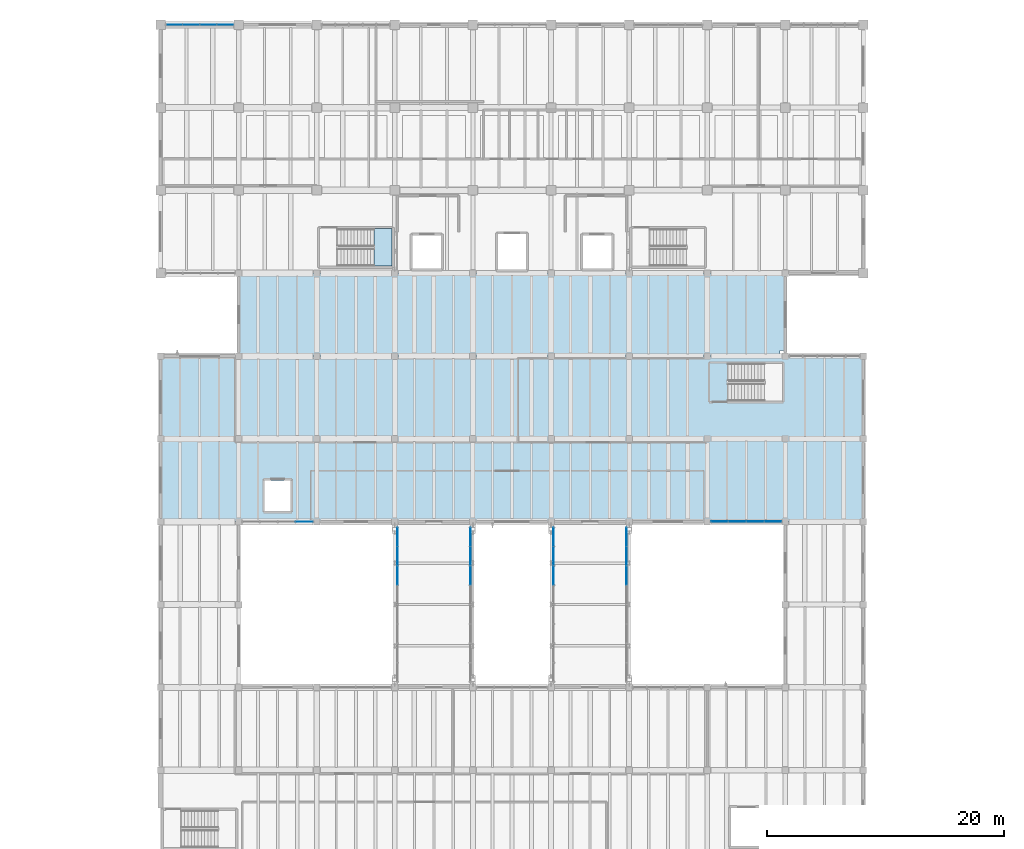
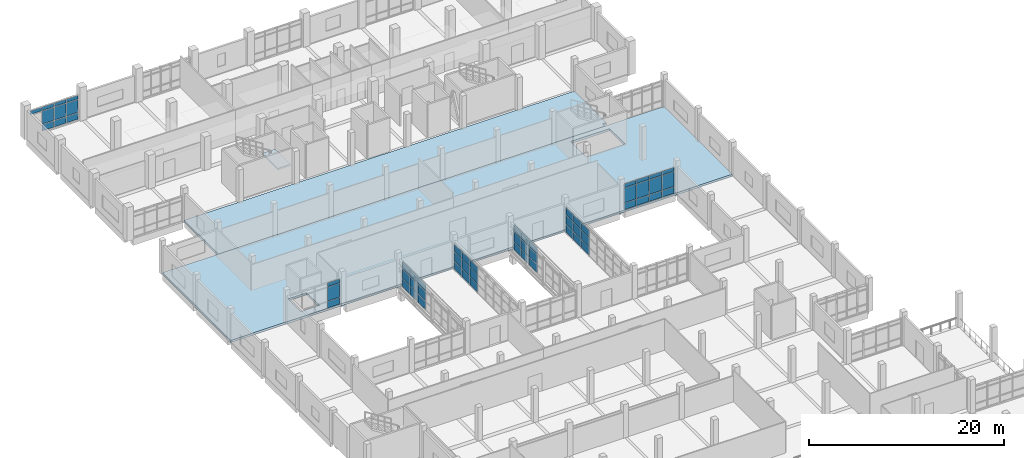
# One storey, part 43 of 67: 61 plates, 3 slabs, 8 elements without a shape of their own.
"""IFC4 building model written with IfcOpenShell, lengths in metres."""

from ifc_helpers import new_model, si_unit, direction, frame, origin, origin_2d, place, context, subcontext, project, spatial, polyline, rectangle, outline, extrude, material, layer, layer_set, type_object, element, aggregate, save


model = new_model("IFC4")

# Units and contexts
model_context = context("Model", 3, precision=1e-05, world=origin(), true_north=direction((0.0, 1.0)))
body_context = subcontext(model_context, "Body", "Model", "MODEL_VIEW")
ifc_project = project(units=[si_unit("LENGTHUNIT", "METRE"), si_unit("AREAUNIT", "SQUARE_METRE"), si_unit("VOLUMEUNIT", "CUBIC_METRE"), si_unit("PLANEANGLEUNIT", "RADIAN"), si_unit("MASSUNIT", "GRAM", prefix="KILO")], contexts=[model_context])

# Site, building, storey
site_placement = place(None, origin())
site = spatial("IfcSite", under=ifc_project, at=site_placement, CompositionType="ELEMENT")
building_placement = place(site_placement, origin())
building = spatial("IfcBuilding", under=site, at=building_placement, Name="Ciguamira Faculty of Natural Sciences", CompositionType="ELEMENT")
storey_placement = place(building_placement, frame((0.0, 0.0, 8.39990234375)))
storey = spatial("IfcBuildingStorey", under=building, at=storey_placement, Name="L02", CompositionType="ELEMENT", Elevation=8.39990234375)

# Curtain wall, plates
ifc_material_1 = material(Name="Anodized aluminium curtain wall", Category="aluminium")
curtain_wall_type_1 = type_object("IfcCurtainWallType", Name="CurtainWall_CW-07", PredefinedType="USERDEFINED", material=ifc_material_1)
curtain_wall_1_placement = place(storey_placement, origin())
curtain_wall_1 = element("IfcCurtainWall", 1, at=curtain_wall_1_placement, inside=storey, type_object=curtain_wall_type_1, Name="L02 unitised curtain wall 0067", ObjectType="UNITISED CURTAIN WALL", PredefinedType="USERDEFINED")
ifc_material_2 = material(Name="Low-E laminated solar glass", Category="glass")
ifc_layer_1 = layer(ifc_material_2, 0.028076171875, Name="Low-E laminated solar glass")
ifc_layer_set_1 = layer_set([ifc_layer_1], Name="Low-E laminated solar glass")
plate_type_1 = type_object("IfcPlateType", Name="CWPanel_CWP-01", PredefinedType="CURTAIN_PANEL", material=ifc_layer_set_1)
plate_1_placement = place(storey_placement, frame((69.453857421875, 73.0, 0.06005859375), z_axis=(0.0, 0.0, 1.0), x_axis=(1.0, 0.0, 0.0)))
plate_1 = element("IfcPlate", 2, at=plate_1_placement, type_object=plate_type_1, Name="CW-07 panel 4.1", PredefinedType="CURTAIN_PANEL", context=body_context, shape_type="SweptSolid", body=[
    extrude(rectangle(XDim=1.422607421875, YDim=0.028076171875, at=origin_2d()), origin(), (0.0, 0.0, 1.0), 0.81005859375),
])
plate_2_placement = place(storey_placement, frame((69.453857421875, 73.0, 0.929931640625), z_axis=(0.0, 0.0, 1.0), x_axis=(1.0, 0.0, 0.0)))
plate_2 = element("IfcPlate", 3, at=plate_2_placement, type_object=plate_type_1, Name="CW-07 panel 4.2", PredefinedType="CURTAIN_PANEL", context=body_context, shape_type="SweptSolid", body=[
    extrude(rectangle(XDim=1.422607421875, YDim=0.028076171875, at=origin_2d()), origin(), (0.0, 0.0, 1.0), 1.72509765625),
])
plate_3_placement = place(storey_placement, frame((69.453857421875, 73.0, 2.715087890625), z_axis=(0.0, 0.0, 1.0), x_axis=(1.0, 0.0, 0.0)))
plate_3 = element("IfcPlate", 4, at=plate_3_placement, type_object=plate_type_1, Name="CW-07 panel 4.3", PredefinedType="CURTAIN_PANEL", context=body_context, shape_type="SweptSolid", body=[
    extrude(rectangle(XDim=1.422607421875, YDim=0.028076171875, at=origin_2d()), origin(), (0.0, 0.0, 1.0), 0.4599609375),
])
aggregate(curtain_wall_1, [plate_1, plate_2, plate_3])

curtain_wall_type_2 = type_object("IfcCurtainWallType", Name="CurtainWall_CW-11", PredefinedType="USERDEFINED", material=ifc_material_1)
curtain_wall_2_placement = place(storey_placement, origin())
curtain_wall_2 = element("IfcCurtainWall", 5, at=curtain_wall_2_placement, inside=storey, type_object=curtain_wall_type_2, Name="L02 unitised curtain wall 0071", ObjectType="UNITISED CURTAIN WALL", PredefinedType="USERDEFINED")
plate_4_placement = place(storey_placement, frame((58.4423828125, 115.0, 2.6201171875), z_axis=(0.0, 0.0, 1.0), x_axis=(1.0, 0.0, 0.0)))
plate_4 = element("IfcPlate", 6, at=plate_4_placement, type_object=plate_type_1, Name="CW-11 panel 1.3", PredefinedType="CURTAIN_PANEL", context=body_context, shape_type="SweptSolid", body=[
    extrude(rectangle(XDim=1.344970703125, YDim=0.028076171875, at=origin_2d()), origin(), (0.0, 0.0, 1.0), 0.445068359375),
])
plate_5_placement = place(storey_placement, frame((59.875, 115.0, 0.070068359375), z_axis=(0.0, 0.0, 1.0), x_axis=(1.0, 0.0, 0.0)))
plate_5 = element("IfcPlate", 7, at=plate_5_placement, type_object=plate_type_1, Name="CW-11 panel 2.1", PredefinedType="CURTAIN_PANEL", context=body_context, shape_type="SweptSolid", body=[
    extrude(rectangle(XDim=1.3798828125, YDim=0.028076171875, at=origin_2d()), origin(), (0.0, 0.0, 1.0), 0.794921875),
])
plate_6_placement = place(storey_placement, frame((59.875, 115.0, 0.93505859375), z_axis=(0.0, 0.0, 1.0), x_axis=(1.0, 0.0, 0.0)))
plate_6 = element("IfcPlate", 8, at=plate_6_placement, type_object=plate_type_1, Name="CW-11 panel 2.2", PredefinedType="CURTAIN_PANEL", context=body_context, shape_type="SweptSolid", body=[
    extrude(rectangle(XDim=1.3798828125, YDim=0.028076171875, at=origin_2d()), origin(), (0.0, 0.0, 1.0), 1.614990234375),
])
plate_7_placement = place(storey_placement, frame((59.875, 115.0, 2.6201171875), z_axis=(0.0, 0.0, 1.0), x_axis=(1.0, 0.0, 0.0)))
plate_7 = element("IfcPlate", 9, at=plate_7_placement, type_object=plate_type_1, Name="CW-11 panel 2.3", PredefinedType="CURTAIN_PANEL", context=body_context, shape_type="SweptSolid", body=[
    extrude(rectangle(XDim=1.3798828125, YDim=0.028076171875, at=origin_2d()), origin(), (0.0, 0.0, 1.0), 0.445068359375),
])
plate_8_placement = place(storey_placement, frame((61.324951171875, 115.0, 0.070068359375), z_axis=(0.0, 0.0, 1.0), x_axis=(1.0, 0.0, 0.0)))
plate_8 = element("IfcPlate", 10, at=plate_8_placement, type_object=plate_type_1, Name="CW-11 panel 3.1", PredefinedType="CURTAIN_PANEL", context=body_context, shape_type="SweptSolid", body=[
    extrude(rectangle(XDim=1.3798828125, YDim=0.028076171875, at=origin_2d()), origin(), (0.0, 0.0, 1.0), 0.794921875),
])
plate_9_placement = place(storey_placement, frame((61.324951171875, 115.0, 0.93505859375), z_axis=(0.0, 0.0, 1.0), x_axis=(1.0, 0.0, 0.0)))
plate_9 = element("IfcPlate", 11, at=plate_9_placement, type_object=plate_type_1, Name="CW-11 panel 3.2", PredefinedType="CURTAIN_PANEL", context=body_context, shape_type="SweptSolid", body=[
    extrude(rectangle(XDim=1.3798828125, YDim=0.028076171875, at=origin_2d()), origin(), (0.0, 0.0, 1.0), 1.614990234375),
])
plate_10_placement = place(storey_placement, frame((61.324951171875, 115.0, 2.6201171875), z_axis=(0.0, 0.0, 1.0), x_axis=(1.0, 0.0, 0.0)))
plate_10 = element("IfcPlate", 12, at=plate_10_placement, type_object=plate_type_1, Name="CW-11 panel 3.3", PredefinedType="CURTAIN_PANEL", context=body_context, shape_type="SweptSolid", body=[
    extrude(rectangle(XDim=1.3798828125, YDim=0.028076171875, at=origin_2d()), origin(), (0.0, 0.0, 1.0), 0.445068359375),
])
plate_11_placement = place(storey_placement, frame((62.757568359375, 115.0, 0.070068359375), z_axis=(0.0, 0.0, 1.0), x_axis=(1.0, 0.0, 0.0)))
plate_11 = element("IfcPlate", 13, at=plate_11_placement, type_object=plate_type_1, Name="CW-11 panel 4.1", PredefinedType="CURTAIN_PANEL", context=body_context, shape_type="SweptSolid", body=[
    extrude(rectangle(XDim=1.344970703125, YDim=0.028076171875, at=origin_2d()), origin(), (0.0, 0.0, 1.0), 0.794921875),
])
plate_12_placement = place(storey_placement, frame((62.757568359375, 115.0, 0.93505859375), z_axis=(0.0, 0.0, 1.0), x_axis=(1.0, 0.0, 0.0)))
plate_12 = element("IfcPlate", 14, at=plate_12_placement, type_object=plate_type_1, Name="CW-11 panel 4.2", PredefinedType="CURTAIN_PANEL", context=body_context, shape_type="SweptSolid", body=[
    extrude(rectangle(XDim=1.344970703125, YDim=0.028076171875, at=origin_2d()), origin(), (0.0, 0.0, 1.0), 1.614990234375),
])
plate_13_placement = place(storey_placement, frame((62.757568359375, 115.0, 2.6201171875), z_axis=(0.0, 0.0, 1.0), x_axis=(1.0, 0.0, 0.0)))
plate_13 = element("IfcPlate", 15, at=plate_13_placement, type_object=plate_type_1, Name="CW-11 panel 4.3", PredefinedType="CURTAIN_PANEL", context=body_context, shape_type="SweptSolid", body=[
    extrude(rectangle(XDim=1.344970703125, YDim=0.028076171875, at=origin_2d()), origin(), (0.0, 0.0, 1.0), 0.445068359375),
])
aggregate(curtain_wall_2, [plate_4, plate_5, plate_6, plate_7, plate_8, plate_9, plate_10, plate_11, plate_12, plate_13])

curtain_wall_type_3 = type_object("IfcCurtainWallType", Name="CurtainWall_CW-06", PredefinedType="USERDEFINED", material=ifc_material_1)
curtain_wall_3_placement = place(storey_placement, origin())
curtain_wall_3 = element("IfcCurtainWall", 16, at=curtain_wall_3_placement, inside=storey, type_object=curtain_wall_type_3, Name="Link bridge BR-1 glazed curtain wall W", ObjectType="UNITISED CURTAIN WALL", PredefinedType="USERDEFINED")
plate_14_placement = place(storey_placement, frame((77.320068359375, 68.456298828125, 0.06005859375), z_axis=(0.0, 0.0, 1.0), x_axis=(0.0, 1.0, 0.0)))
plate_14 = element("IfcPlate", 17, at=plate_14_placement, type_object=plate_type_1, Name="CW-06 panel 6.1", PredefinedType="CURTAIN_PANEL", context=body_context, shape_type="SweptSolid", body=[
    extrude(rectangle(XDim=1.577392578125, YDim=0.028076171875, at=origin_2d()), origin(), (0.0, 0.0, 1.0), 1.010009765625),
])
plate_15_placement = place(storey_placement, frame((77.320068359375, 68.456298828125, 1.13037109375), z_axis=(0.0, 0.0, 1.0), x_axis=(0.0, 1.0, 0.0)))
plate_15 = element("IfcPlate", 18, at=plate_15_placement, type_object=plate_type_1, Name="CW-06 panel 6.2", PredefinedType="CURTAIN_PANEL", context=body_context, shape_type="SweptSolid", body=[
    extrude(rectangle(XDim=1.577392578125, YDim=0.028076171875, at=origin_2d()), origin(), (0.0, 0.0, 1.0), 1.139892578125),
])
plate_16_placement = place(storey_placement, frame((77.320068359375, 68.456298828125, 2.330078125), z_axis=(0.0, 0.0, 1.0), x_axis=(0.0, 1.0, 0.0)))
plate_16 = element("IfcPlate", 19, at=plate_16_placement, type_object=plate_type_1, Name="CW-06 panel 6.3", PredefinedType="CURTAIN_PANEL", context=body_context, shape_type="SweptSolid", body=[
    extrude(rectangle(XDim=1.577392578125, YDim=0.028076171875, at=origin_2d()), origin(), (0.0, 0.0, 1.0), 0.860107421875),
])
plate_17_placement = place(storey_placement, frame((77.320068359375, 70.09375, 0.06005859375), z_axis=(0.0, 0.0, 1.0), x_axis=(0.0, 1.0, 0.0)))
plate_17 = element("IfcPlate", 20, at=plate_17_placement, type_object=plate_type_1, Name="CW-06 panel 7.1", PredefinedType="CURTAIN_PANEL", context=body_context, shape_type="SweptSolid", body=[
    extrude(rectangle(XDim=1.577392578125, YDim=0.028076171875, at=origin_2d()), origin(), (0.0, 0.0, 1.0), 1.010009765625),
])
plate_18_placement = place(storey_placement, frame((77.320068359375, 70.09375, 1.13037109375), z_axis=(0.0, 0.0, 1.0), x_axis=(0.0, 1.0, 0.0)))
plate_18 = element("IfcPlate", 21, at=plate_18_placement, type_object=plate_type_1, Name="CW-06 panel 7.2", PredefinedType="CURTAIN_PANEL", context=body_context, shape_type="SweptSolid", body=[
    extrude(rectangle(XDim=1.577392578125, YDim=0.028076171875, at=origin_2d()), origin(), (0.0, 0.0, 1.0), 1.139892578125),
])
plate_19_placement = place(storey_placement, frame((77.320068359375, 70.09375, 2.330078125), z_axis=(0.0, 0.0, 1.0), x_axis=(0.0, 1.0, 0.0)))
plate_19 = element("IfcPlate", 22, at=plate_19_placement, type_object=plate_type_1, Name="CW-06 panel 7.3", PredefinedType="CURTAIN_PANEL", context=body_context, shape_type="SweptSolid", body=[
    extrude(rectangle(XDim=1.577392578125, YDim=0.028076171875, at=origin_2d()), origin(), (0.0, 0.0, 1.0), 0.860107421875),
])
plate_20_placement = place(storey_placement, frame((77.320068359375, 71.71630859375, 0.06005859375), z_axis=(0.0, 0.0, 1.0), x_axis=(0.0, 1.0, 0.0)))
plate_20 = element("IfcPlate", 23, at=plate_20_placement, type_object=plate_type_1, Name="CW-06 panel 8.1", PredefinedType="CURTAIN_PANEL", context=body_context, shape_type="SweptSolid", body=[
    extrude(rectangle(XDim=1.547607421875, YDim=0.028076171875, at=origin_2d()), origin(), (0.0, 0.0, 1.0), 1.010009765625),
])
plate_21_placement = place(storey_placement, frame((77.320068359375, 71.71630859375, 1.13037109375), z_axis=(0.0, 0.0, 1.0), x_axis=(0.0, 1.0, 0.0)))
plate_21 = element("IfcPlate", 24, at=plate_21_placement, type_object=plate_type_1, Name="CW-06 panel 8.2", PredefinedType="CURTAIN_PANEL", context=body_context, shape_type="SweptSolid", body=[
    extrude(rectangle(XDim=1.547607421875, YDim=0.028076171875, at=origin_2d()), origin(), (0.0, 0.0, 1.0), 1.139892578125),
])
plate_22_placement = place(storey_placement, frame((77.320068359375, 71.71630859375, 2.330078125), z_axis=(0.0, 0.0, 1.0), x_axis=(0.0, 1.0, 0.0)))
plate_22 = element("IfcPlate", 25, at=plate_22_placement, type_object=plate_type_1, Name="CW-06 panel 8.3", PredefinedType="CURTAIN_PANEL", context=body_context, shape_type="SweptSolid", body=[
    extrude(rectangle(XDim=1.547607421875, YDim=0.028076171875, at=origin_2d()), origin(), (0.0, 0.0, 1.0), 0.860107421875),
])
aggregate(curtain_wall_3, [plate_14, plate_15, plate_16, plate_17, plate_18, plate_19, plate_20, plate_21, plate_22])

curtain_wall_4_placement = place(storey_placement, origin())
curtain_wall_4 = element("IfcCurtainWall", 26, at=curtain_wall_4_placement, inside=storey, type_object=curtain_wall_type_1, Name="Link bridge BR-1 glazed curtain wall E", ObjectType="UNITISED CURTAIN WALL", PredefinedType="USERDEFINED")
plate_23_placement = place(storey_placement, frame((83.47998046875, 68.456298828125, 0.06005859375), z_axis=(0.0, 0.0, 1.0), x_axis=(0.0, 1.0, 0.0)))
plate_23 = element("IfcPlate", 27, at=plate_23_placement, type_object=plate_type_1, Name="CW-07 panel 6.1", PredefinedType="CURTAIN_PANEL", context=body_context, shape_type="SweptSolid", body=[
    extrude(rectangle(XDim=1.577392578125, YDim=0.028076171875, at=origin_2d()), origin(), (0.0, 0.0, 1.0), 1.010009765625),
])
plate_24_placement = place(storey_placement, frame((83.47998046875, 68.456298828125, 1.13037109375), z_axis=(0.0, 0.0, 1.0), x_axis=(0.0, 1.0, 0.0)))
plate_24 = element("IfcPlate", 28, at=plate_24_placement, type_object=plate_type_1, Name="CW-07 panel 6.2", PredefinedType="CURTAIN_PANEL", context=body_context, shape_type="SweptSolid", body=[
    extrude(rectangle(XDim=1.577392578125, YDim=0.028076171875, at=origin_2d()), origin(), (0.0, 0.0, 1.0), 1.139892578125),
])
plate_25_placement = place(storey_placement, frame((83.47998046875, 68.456298828125, 2.330078125), z_axis=(0.0, 0.0, 1.0), x_axis=(0.0, 1.0, 0.0)))
plate_25 = element("IfcPlate", 29, at=plate_25_placement, type_object=plate_type_1, Name="CW-07 panel 6.3", PredefinedType="CURTAIN_PANEL", context=body_context, shape_type="SweptSolid", body=[
    extrude(rectangle(XDim=1.577392578125, YDim=0.028076171875, at=origin_2d()), origin(), (0.0, 0.0, 1.0), 0.860107421875),
])
plate_26_placement = place(storey_placement, frame((83.47998046875, 70.09375, 0.06005859375), z_axis=(0.0, 0.0, 1.0), x_axis=(0.0, 1.0, 0.0)))
plate_26 = element("IfcPlate", 30, at=plate_26_placement, type_object=plate_type_1, Name="CW-07 panel 7.1", PredefinedType="CURTAIN_PANEL", context=body_context, shape_type="SweptSolid", body=[
    extrude(rectangle(XDim=1.577392578125, YDim=0.028076171875, at=origin_2d()), origin(), (0.0, 0.0, 1.0), 1.010009765625),
])
plate_27_placement = place(storey_placement, frame((83.47998046875, 70.09375, 1.13037109375), z_axis=(0.0, 0.0, 1.0), x_axis=(0.0, 1.0, 0.0)))
plate_27 = element("IfcPlate", 31, at=plate_27_placement, type_object=plate_type_1, Name="CW-07 panel 7.2", PredefinedType="CURTAIN_PANEL", context=body_context, shape_type="SweptSolid", body=[
    extrude(rectangle(XDim=1.577392578125, YDim=0.028076171875, at=origin_2d()), origin(), (0.0, 0.0, 1.0), 1.139892578125),
])
plate_28_placement = place(storey_placement, frame((83.47998046875, 70.09375, 2.330078125), z_axis=(0.0, 0.0, 1.0), x_axis=(0.0, 1.0, 0.0)))
plate_28 = element("IfcPlate", 32, at=plate_28_placement, type_object=plate_type_1, Name="CW-07 panel 7.3", PredefinedType="CURTAIN_PANEL", context=body_context, shape_type="SweptSolid", body=[
    extrude(rectangle(XDim=1.577392578125, YDim=0.028076171875, at=origin_2d()), origin(), (0.0, 0.0, 1.0), 0.860107421875),
])
plate_29_placement = place(storey_placement, frame((83.47998046875, 71.71630859375, 0.06005859375), z_axis=(0.0, 0.0, 1.0), x_axis=(0.0, 1.0, 0.0)))
plate_29 = element("IfcPlate", 33, at=plate_29_placement, type_object=plate_type_1, Name="CW-07 panel 8.1", PredefinedType="CURTAIN_PANEL", context=body_context, shape_type="SweptSolid", body=[
    extrude(rectangle(XDim=1.547607421875, YDim=0.028076171875, at=origin_2d()), origin(), (0.0, 0.0, 1.0), 1.010009765625),
])
plate_30_placement = place(storey_placement, frame((83.47998046875, 71.71630859375, 1.13037109375), z_axis=(0.0, 0.0, 1.0), x_axis=(0.0, 1.0, 0.0)))
plate_30 = element("IfcPlate", 34, at=plate_30_placement, type_object=plate_type_1, Name="CW-07 panel 8.2", PredefinedType="CURTAIN_PANEL", context=body_context, shape_type="SweptSolid", body=[
    extrude(rectangle(XDim=1.547607421875, YDim=0.028076171875, at=origin_2d()), origin(), (0.0, 0.0, 1.0), 1.139892578125),
])
plate_31_placement = place(storey_placement, frame((83.47998046875, 71.71630859375, 2.330078125), z_axis=(0.0, 0.0, 1.0), x_axis=(0.0, 1.0, 0.0)))
plate_31 = element("IfcPlate", 35, at=plate_31_placement, type_object=plate_type_1, Name="CW-07 panel 8.3", PredefinedType="CURTAIN_PANEL", context=body_context, shape_type="SweptSolid", body=[
    extrude(rectangle(XDim=1.547607421875, YDim=0.028076171875, at=origin_2d()), origin(), (0.0, 0.0, 1.0), 0.860107421875),
])
aggregate(curtain_wall_4, [plate_23, plate_24, plate_25, plate_26, plate_27, plate_28, plate_29, plate_30, plate_31])

curtain_wall_type_4 = type_object("IfcCurtainWallType", Name="CurtainWall_CW-08", PredefinedType="USERDEFINED", material=ifc_material_1)
curtain_wall_5_placement = place(storey_placement, origin())
curtain_wall_5 = element("IfcCurtainWall", 36, at=curtain_wall_5_placement, inside=storey, type_object=curtain_wall_type_4, Name="Link bridge BR-2 glazed curtain wall W", ObjectType="UNITISED CURTAIN WALL", PredefinedType="USERDEFINED")
plate_32_placement = place(storey_placement, frame((90.52001953125, 68.456298828125, 0.06005859375), z_axis=(0.0, 0.0, 1.0), x_axis=(0.0, 1.0, 0.0)))
plate_32 = element("IfcPlate", 37, at=plate_32_placement, type_object=plate_type_1, Name="CW-08 panel 6.1", PredefinedType="CURTAIN_PANEL", context=body_context, shape_type="SweptSolid", body=[
    extrude(rectangle(XDim=1.577392578125, YDim=0.028076171875, at=origin_2d()), origin(), (0.0, 0.0, 1.0), 1.010009765625),
])
plate_33_placement = place(storey_placement, frame((90.52001953125, 68.456298828125, 1.13037109375), z_axis=(0.0, 0.0, 1.0), x_axis=(0.0, 1.0, 0.0)))
plate_33 = element("IfcPlate", 38, at=plate_33_placement, type_object=plate_type_1, Name="CW-08 panel 6.2", PredefinedType="CURTAIN_PANEL", context=body_context, shape_type="SweptSolid", body=[
    extrude(rectangle(XDim=1.577392578125, YDim=0.028076171875, at=origin_2d()), origin(), (0.0, 0.0, 1.0), 1.139892578125),
])
plate_34_placement = place(storey_placement, frame((90.52001953125, 68.456298828125, 2.330078125), z_axis=(0.0, 0.0, 1.0), x_axis=(0.0, 1.0, 0.0)))
plate_34 = element("IfcPlate", 39, at=plate_34_placement, type_object=plate_type_1, Name="CW-08 panel 6.3", PredefinedType="CURTAIN_PANEL", context=body_context, shape_type="SweptSolid", body=[
    extrude(rectangle(XDim=1.577392578125, YDim=0.028076171875, at=origin_2d()), origin(), (0.0, 0.0, 1.0), 0.860107421875),
])
plate_35_placement = place(storey_placement, frame((90.52001953125, 70.09375, 0.06005859375), z_axis=(0.0, 0.0, 1.0), x_axis=(0.0, 1.0, 0.0)))
plate_35 = element("IfcPlate", 40, at=plate_35_placement, type_object=plate_type_1, Name="CW-08 panel 7.1", PredefinedType="CURTAIN_PANEL", context=body_context, shape_type="SweptSolid", body=[
    extrude(rectangle(XDim=1.577392578125, YDim=0.028076171875, at=origin_2d()), origin(), (0.0, 0.0, 1.0), 1.010009765625),
])
plate_36_placement = place(storey_placement, frame((90.52001953125, 70.09375, 1.13037109375), z_axis=(0.0, 0.0, 1.0), x_axis=(0.0, 1.0, 0.0)))
plate_36 = element("IfcPlate", 41, at=plate_36_placement, type_object=plate_type_1, Name="CW-08 panel 7.2", PredefinedType="CURTAIN_PANEL", context=body_context, shape_type="SweptSolid", body=[
    extrude(rectangle(XDim=1.577392578125, YDim=0.028076171875, at=origin_2d()), origin(), (0.0, 0.0, 1.0), 1.139892578125),
])
plate_37_placement = place(storey_placement, frame((90.52001953125, 70.09375, 2.330078125), z_axis=(0.0, 0.0, 1.0), x_axis=(0.0, 1.0, 0.0)))
plate_37 = element("IfcPlate", 42, at=plate_37_placement, type_object=plate_type_1, Name="CW-08 panel 7.3", PredefinedType="CURTAIN_PANEL", context=body_context, shape_type="SweptSolid", body=[
    extrude(rectangle(XDim=1.577392578125, YDim=0.028076171875, at=origin_2d()), origin(), (0.0, 0.0, 1.0), 0.860107421875),
])
plate_38_placement = place(storey_placement, frame((90.52001953125, 71.71630859375, 0.06005859375), z_axis=(0.0, 0.0, 1.0), x_axis=(0.0, 1.0, 0.0)))
plate_38 = element("IfcPlate", 43, at=plate_38_placement, type_object=plate_type_1, Name="CW-08 panel 8.1", PredefinedType="CURTAIN_PANEL", context=body_context, shape_type="SweptSolid", body=[
    extrude(rectangle(XDim=1.547607421875, YDim=0.028076171875, at=origin_2d()), origin(), (0.0, 0.0, 1.0), 1.010009765625),
])
plate_39_placement = place(storey_placement, frame((90.52001953125, 71.71630859375, 1.13037109375), z_axis=(0.0, 0.0, 1.0), x_axis=(0.0, 1.0, 0.0)))
plate_39 = element("IfcPlate", 44, at=plate_39_placement, type_object=plate_type_1, Name="CW-08 panel 8.2", PredefinedType="CURTAIN_PANEL", context=body_context, shape_type="SweptSolid", body=[
    extrude(rectangle(XDim=1.547607421875, YDim=0.028076171875, at=origin_2d()), origin(), (0.0, 0.0, 1.0), 1.139892578125),
])
plate_40_placement = place(storey_placement, frame((90.52001953125, 71.71630859375, 2.330078125), z_axis=(0.0, 0.0, 1.0), x_axis=(0.0, 1.0, 0.0)))
plate_40 = element("IfcPlate", 45, at=plate_40_placement, type_object=plate_type_1, Name="CW-08 panel 8.3", PredefinedType="CURTAIN_PANEL", context=body_context, shape_type="SweptSolid", body=[
    extrude(rectangle(XDim=1.547607421875, YDim=0.028076171875, at=origin_2d()), origin(), (0.0, 0.0, 1.0), 0.860107421875),
])
aggregate(curtain_wall_5, [plate_32, plate_33, plate_34, plate_35, plate_36, plate_37, plate_38, plate_39, plate_40])

curtain_wall_type_5 = type_object("IfcCurtainWallType", Name="CurtainWall_CW-09", PredefinedType="USERDEFINED", material=ifc_material_1)
curtain_wall_6_placement = place(storey_placement, origin())
curtain_wall_6 = element("IfcCurtainWall", 46, at=curtain_wall_6_placement, inside=storey, type_object=curtain_wall_type_5, Name="Link bridge BR-2 glazed curtain wall E", ObjectType="UNITISED CURTAIN WALL", PredefinedType="USERDEFINED")
plate_41_placement = place(storey_placement, frame((96.679931640625, 68.456298828125, 0.06005859375), z_axis=(0.0, 0.0, 1.0), x_axis=(0.0, 1.0, 0.0)))
plate_41 = element("IfcPlate", 47, at=plate_41_placement, type_object=plate_type_1, Name="CW-09 panel 6.1", PredefinedType="CURTAIN_PANEL", context=body_context, shape_type="SweptSolid", body=[
    extrude(rectangle(XDim=1.577392578125, YDim=0.028076171875, at=origin_2d()), origin(), (0.0, 0.0, 1.0), 1.010009765625),
])
plate_42_placement = place(storey_placement, frame((96.679931640625, 68.456298828125, 1.13037109375), z_axis=(0.0, 0.0, 1.0), x_axis=(0.0, 1.0, 0.0)))
plate_42 = element("IfcPlate", 48, at=plate_42_placement, type_object=plate_type_1, Name="CW-09 panel 6.2", PredefinedType="CURTAIN_PANEL", context=body_context, shape_type="SweptSolid", body=[
    extrude(rectangle(XDim=1.577392578125, YDim=0.028076171875, at=origin_2d()), origin(), (0.0, 0.0, 1.0), 1.139892578125),
])
plate_43_placement = place(storey_placement, frame((96.679931640625, 68.456298828125, 2.330078125), z_axis=(0.0, 0.0, 1.0), x_axis=(0.0, 1.0, 0.0)))
plate_43 = element("IfcPlate", 49, at=plate_43_placement, type_object=plate_type_1, Name="CW-09 panel 6.3", PredefinedType="CURTAIN_PANEL", context=body_context, shape_type="SweptSolid", body=[
    extrude(rectangle(XDim=1.577392578125, YDim=0.028076171875, at=origin_2d()), origin(), (0.0, 0.0, 1.0), 0.860107421875),
])
plate_44_placement = place(storey_placement, frame((96.679931640625, 70.09375, 0.06005859375), z_axis=(0.0, 0.0, 1.0), x_axis=(0.0, 1.0, 0.0)))
plate_44 = element("IfcPlate", 50, at=plate_44_placement, type_object=plate_type_1, Name="CW-09 panel 7.1", PredefinedType="CURTAIN_PANEL", context=body_context, shape_type="SweptSolid", body=[
    extrude(rectangle(XDim=1.577392578125, YDim=0.028076171875, at=origin_2d()), origin(), (0.0, 0.0, 1.0), 1.010009765625),
])
plate_45_placement = place(storey_placement, frame((96.679931640625, 70.09375, 1.13037109375), z_axis=(0.0, 0.0, 1.0), x_axis=(0.0, 1.0, 0.0)))
plate_45 = element("IfcPlate", 51, at=plate_45_placement, type_object=plate_type_1, Name="CW-09 panel 7.2", PredefinedType="CURTAIN_PANEL", context=body_context, shape_type="SweptSolid", body=[
    extrude(rectangle(XDim=1.577392578125, YDim=0.028076171875, at=origin_2d()), origin(), (0.0, 0.0, 1.0), 1.139892578125),
])
plate_46_placement = place(storey_placement, frame((96.679931640625, 70.09375, 2.330078125), z_axis=(0.0, 0.0, 1.0), x_axis=(0.0, 1.0, 0.0)))
plate_46 = element("IfcPlate", 52, at=plate_46_placement, type_object=plate_type_1, Name="CW-09 panel 7.3", PredefinedType="CURTAIN_PANEL", context=body_context, shape_type="SweptSolid", body=[
    extrude(rectangle(XDim=1.577392578125, YDim=0.028076171875, at=origin_2d()), origin(), (0.0, 0.0, 1.0), 0.860107421875),
])
plate_47_placement = place(storey_placement, frame((96.679931640625, 71.71630859375, 0.06005859375), z_axis=(0.0, 0.0, 1.0), x_axis=(0.0, 1.0, 0.0)))
plate_47 = element("IfcPlate", 53, at=plate_47_placement, type_object=plate_type_1, Name="CW-09 panel 8.1", PredefinedType="CURTAIN_PANEL", context=body_context, shape_type="SweptSolid", body=[
    extrude(rectangle(XDim=1.547607421875, YDim=0.028076171875, at=origin_2d()), origin(), (0.0, 0.0, 1.0), 1.010009765625),
])
plate_48_placement = place(storey_placement, frame((96.679931640625, 71.71630859375, 1.13037109375), z_axis=(0.0, 0.0, 1.0), x_axis=(0.0, 1.0, 0.0)))
plate_48 = element("IfcPlate", 54, at=plate_48_placement, type_object=plate_type_1, Name="CW-09 panel 8.2", PredefinedType="CURTAIN_PANEL", context=body_context, shape_type="SweptSolid", body=[
    extrude(rectangle(XDim=1.547607421875, YDim=0.028076171875, at=origin_2d()), origin(), (0.0, 0.0, 1.0), 1.139892578125),
])
plate_49_placement = place(storey_placement, frame((96.679931640625, 71.71630859375, 2.330078125), z_axis=(0.0, 0.0, 1.0), x_axis=(0.0, 1.0, 0.0)))
plate_49 = element("IfcPlate", 55, at=plate_49_placement, type_object=plate_type_1, Name="CW-09 panel 8.3", PredefinedType="CURTAIN_PANEL", context=body_context, shape_type="SweptSolid", body=[
    extrude(rectangle(XDim=1.547607421875, YDim=0.028076171875, at=origin_2d()), origin(), (0.0, 0.0, 1.0), 0.860107421875),
])
aggregate(curtain_wall_6, [plate_41, plate_42, plate_43, plate_44, plate_45, plate_46, plate_47, plate_48, plate_49])

curtain_wall_7_placement = place(storey_placement, origin())
curtain_wall_7 = element("IfcCurtainWall", 56, at=curtain_wall_7_placement, inside=storey, type_object=curtain_wall_type_4, Name="L02 unitised curtain wall 0068", ObjectType="UNITISED CURTAIN WALL", PredefinedType="USERDEFINED")
ifc_layer_2 = layer(ifc_material_2, 0.035888671875, Name="Low-E laminated solar glass")
ifc_layer_set_2 = layer_set([ifc_layer_2], Name="Low-E laminated solar glass")
plate_type_2 = type_object("IfcPlateType", Name="CWPanel_CWP-02", PredefinedType="CURTAIN_PANEL", material=ifc_layer_set_2)
plate_50_placement = place(storey_placement, frame((104.548828125, 73.0, 0.070068359375), z_axis=(0.0, 0.0, 1.0), x_axis=(1.0, 0.0, 0.0)))
plate_50 = element("IfcPlate", 57, at=plate_50_placement, type_object=plate_type_2, Name="CW-08 panel 1.1", PredefinedType="CURTAIN_PANEL", context=body_context, shape_type="SweptSolid", body=[
    extrude(rectangle(XDim=1.407470703125, YDim=0.035888671875, at=origin_2d()), origin(), (0.0, 0.0, 1.0), 0.794921875),
])
plate_51_placement = place(storey_placement, frame((104.548828125, 73.0, 0.93505859375), z_axis=(0.0, 0.0, 1.0), x_axis=(1.0, 0.0, 0.0)))
plate_51 = element("IfcPlate", 58, at=plate_51_placement, type_object=plate_type_2, Name="CW-08 panel 1.2", PredefinedType="CURTAIN_PANEL", context=body_context, shape_type="SweptSolid", body=[
    extrude(rectangle(XDim=1.407470703125, YDim=0.035888671875, at=origin_2d()), origin(), (0.0, 0.0, 1.0), 1.824951171875),
])
plate_52_placement = place(storey_placement, frame((104.548828125, 73.0, 2.830078125), z_axis=(0.0, 0.0, 1.0), x_axis=(1.0, 0.0, 0.0)))
plate_52 = element("IfcPlate", 59, at=plate_52_placement, type_object=plate_type_2, Name="CW-08 panel 1.3", PredefinedType="CURTAIN_PANEL", context=body_context, shape_type="SweptSolid", body=[
    extrude(rectangle(XDim=1.407470703125, YDim=0.035888671875, at=origin_2d()), origin(), (0.0, 0.0, 1.0), 0.445068359375),
])
plate_53_placement = place(storey_placement, frame((106.043701171875, 73.0, 0.070068359375), z_axis=(0.0, 0.0, 1.0), x_axis=(1.0, 0.0, 0.0)))
plate_53 = element("IfcPlate", 60, at=plate_53_placement, type_object=plate_type_2, Name="CW-08 panel 2.1", PredefinedType="CURTAIN_PANEL", context=body_context, shape_type="SweptSolid", body=[
    extrude(rectangle(XDim=1.4423828125, YDim=0.035888671875, at=origin_2d()), origin(), (0.0, 0.0, 1.0), 0.794921875),
])
plate_54_placement = place(storey_placement, frame((106.043701171875, 73.0, 0.93505859375), z_axis=(0.0, 0.0, 1.0), x_axis=(1.0, 0.0, 0.0)))
plate_54 = element("IfcPlate", 61, at=plate_54_placement, type_object=plate_type_2, Name="CW-08 panel 2.2", PredefinedType="CURTAIN_PANEL", context=body_context, shape_type="SweptSolid", body=[
    extrude(rectangle(XDim=1.4423828125, YDim=0.035888671875, at=origin_2d()), origin(), (0.0, 0.0, 1.0), 1.824951171875),
])
plate_55_placement = place(storey_placement, frame((106.043701171875, 73.0, 2.830078125), z_axis=(0.0, 0.0, 1.0), x_axis=(1.0, 0.0, 0.0)))
plate_55 = element("IfcPlate", 62, at=plate_55_placement, type_object=plate_type_2, Name="CW-08 panel 2.3", PredefinedType="CURTAIN_PANEL", context=body_context, shape_type="SweptSolid", body=[
    extrude(rectangle(XDim=1.4423828125, YDim=0.035888671875, at=origin_2d()), origin(), (0.0, 0.0, 1.0), 0.445068359375),
])
plate_56_placement = place(storey_placement, frame((107.55615234375, 73.0, 0.070068359375), z_axis=(0.0, 0.0, 1.0), x_axis=(1.0, 0.0, 0.0)))
plate_56 = element("IfcPlate", 63, at=plate_56_placement, type_object=plate_type_2, Name="CW-08 panel 3.1", PredefinedType="CURTAIN_PANEL", context=body_context, shape_type="SweptSolid", body=[
    extrude(rectangle(XDim=1.4423828125, YDim=0.035888671875, at=origin_2d()), origin(), (0.0, 0.0, 1.0), 0.794921875),
])
plate_57_placement = place(storey_placement, frame((107.55615234375, 73.0, 0.93505859375), z_axis=(0.0, 0.0, 1.0), x_axis=(1.0, 0.0, 0.0)))
plate_57 = element("IfcPlate", 64, at=plate_57_placement, type_object=plate_type_2, Name="CW-08 panel 3.2", PredefinedType="CURTAIN_PANEL", context=body_context, shape_type="SweptSolid", body=[
    extrude(rectangle(XDim=1.4423828125, YDim=0.035888671875, at=origin_2d()), origin(), (0.0, 0.0, 1.0), 1.824951171875),
])
plate_58_placement = place(storey_placement, frame((107.55615234375, 73.0, 2.830078125), z_axis=(0.0, 0.0, 1.0), x_axis=(1.0, 0.0, 0.0)))
plate_58 = element("IfcPlate", 65, at=plate_58_placement, type_object=plate_type_2, Name="CW-08 panel 3.3", PredefinedType="CURTAIN_PANEL", context=body_context, shape_type="SweptSolid", body=[
    extrude(rectangle(XDim=1.4423828125, YDim=0.035888671875, at=origin_2d()), origin(), (0.0, 0.0, 1.0), 0.445068359375),
])
plate_59_placement = place(storey_placement, frame((109.05126953125, 73.0, 0.070068359375), z_axis=(0.0, 0.0, 1.0), x_axis=(1.0, 0.0, 0.0)))
plate_59 = element("IfcPlate", 66, at=plate_59_placement, type_object=plate_type_2, Name="CW-08 panel 4.1", PredefinedType="CURTAIN_PANEL", context=body_context, shape_type="SweptSolid", body=[
    extrude(rectangle(XDim=1.407470703125, YDim=0.035888671875, at=origin_2d()), origin(), (0.0, 0.0, 1.0), 0.794921875),
])
plate_60_placement = place(storey_placement, frame((109.05126953125, 73.0, 0.93505859375), z_axis=(0.0, 0.0, 1.0), x_axis=(1.0, 0.0, 0.0)))
plate_60 = element("IfcPlate", 67, at=plate_60_placement, type_object=plate_type_2, Name="CW-08 panel 4.2", PredefinedType="CURTAIN_PANEL", context=body_context, shape_type="SweptSolid", body=[
    extrude(rectangle(XDim=1.407470703125, YDim=0.035888671875, at=origin_2d()), origin(), (0.0, 0.0, 1.0), 1.824951171875),
])
plate_61_placement = place(storey_placement, frame((109.05126953125, 73.0, 2.830078125), z_axis=(0.0, 0.0, 1.0), x_axis=(1.0, 0.0, 0.0)))
plate_61 = element("IfcPlate", 68, at=plate_61_placement, type_object=plate_type_2, Name="CW-08 panel 4.3", PredefinedType="CURTAIN_PANEL", context=body_context, shape_type="SweptSolid", body=[
    extrude(rectangle(XDim=1.407470703125, YDim=0.035888671875, at=origin_2d()), origin(), (0.0, 0.0, 1.0), 0.445068359375),
])
aggregate(curtain_wall_7, [plate_50, plate_51, plate_52, plate_53, plate_54, plate_55, plate_56, plate_57, plate_58, plate_59, plate_60, plate_61])

# Slabs
ifc_material_3 = material(Name="Concrete C40/50", Category="concrete")
ifc_layer_3 = layer(ifc_material_3, 0.280029296875, Name="Concrete C40/50")
ifc_layer_set_3 = layer_set([ifc_layer_3], Name="Concrete C40/50")
slab_type_1 = type_object("IfcSlabType", Name="Slab_SF-03_280", PredefinedType="FLOOR", material=ifc_layer_set_3)
slab_1_placement = place(storey_placement, frame((0.0, 0.0, -0.27978515625)))
element("IfcSlab", 69, at=slab_1_placement, inside=storey, type_object=slab_type_1, Name="L02 V4N structural slab", PredefinedType="FLOOR", context=body_context, shape_type="SweptSolid", body=[
    extrude(outline(polyline([(57.300048828125, 73.0), (116.699951171875, 73.0), (116.699951171875, 87.0), (57.300048828125, 87.0), (57.300048828125, 73.0)]), holes=[polyline([(105.260009765625, 83.199951171875), (109.85009765625, 83.199951171875), (109.85009765625, 86.360107421875), (105.260009765625, 86.360107421875), (105.260009765625, 83.199951171875)]), polyline([(66.10009765625, 73.89990234375), (68.300048828125, 73.89990234375), (68.300048828125, 76.5), (66.10009765625, 76.5), (66.10009765625, 73.89990234375)])]), origin(), (0.0, 0.0, 1.0), 0.27978515625),
])
slab_2_placement = place(storey_placement, frame((0.0, 0.0, -0.27978515625)))
element("IfcSlab", 70, at=slab_2_placement, inside=storey, type_object=slab_type_1, Name="L02 V4K structural slab", PredefinedType="FLOOR", context=body_context, shape_type="SweptSolid", body=[
    extrude(outline(polyline([(63.89990234375, 87.0), (109.64990234375, 87.0), (109.64990234375, 87.449951171875), (110.10009765625, 87.449951171875), (110.10009765625, 94.0), (63.89990234375, 94.0), (63.89990234375, 87.0)])), origin(), (0.0, 0.0, 1.0), 0.27978515625),
])

# Stair, slab
stair_type = type_object("IfcStairType", Name="Stair_STR-01", PredefinedType="HALF_TURN_STAIR", material=ifc_material_3)
stair_placement = place(storey_placement, origin())
stair = element("IfcStair", 71, at=stair_placement, inside=storey, type_object=stair_type, Name="L02 Tower West Exit Stair", PredefinedType="HALF_TURN_STAIR")
ifc_layer_4 = layer(ifc_material_3, 0.199951171875, Name="Concrete C40/50")
ifc_layer_set_4 = layer_set([ifc_layer_4], Name="Concrete C40/50")
slab_type_2 = type_object("IfcSlabType", Name="StairLanding_SLD01", PredefinedType="LANDING", material=ifc_layer_set_4)
slab_3_placement = place(storey_placement, frame((0.0, 0.0, 1.900146484375)))
slab_3 = element("IfcSlab", 72, at=slab_3_placement, type_object=slab_type_2, Name="ST-T1 landing 1", PredefinedType="LANDING", context=body_context, shape_type="SweptSolid", body=[
    extrude(outline(polyline([(75.340087890625, 94.60009765625), (76.85009765625, 94.60009765625), (76.85009765625, 97.760009765625), (75.340087890625, 97.760009765625), (75.340087890625, 94.60009765625)])), origin(), (0.0, 0.0, 1.0), 0.199951171875),
])
aggregate(stair, [slab_3])

save(model, "model.ifc")
